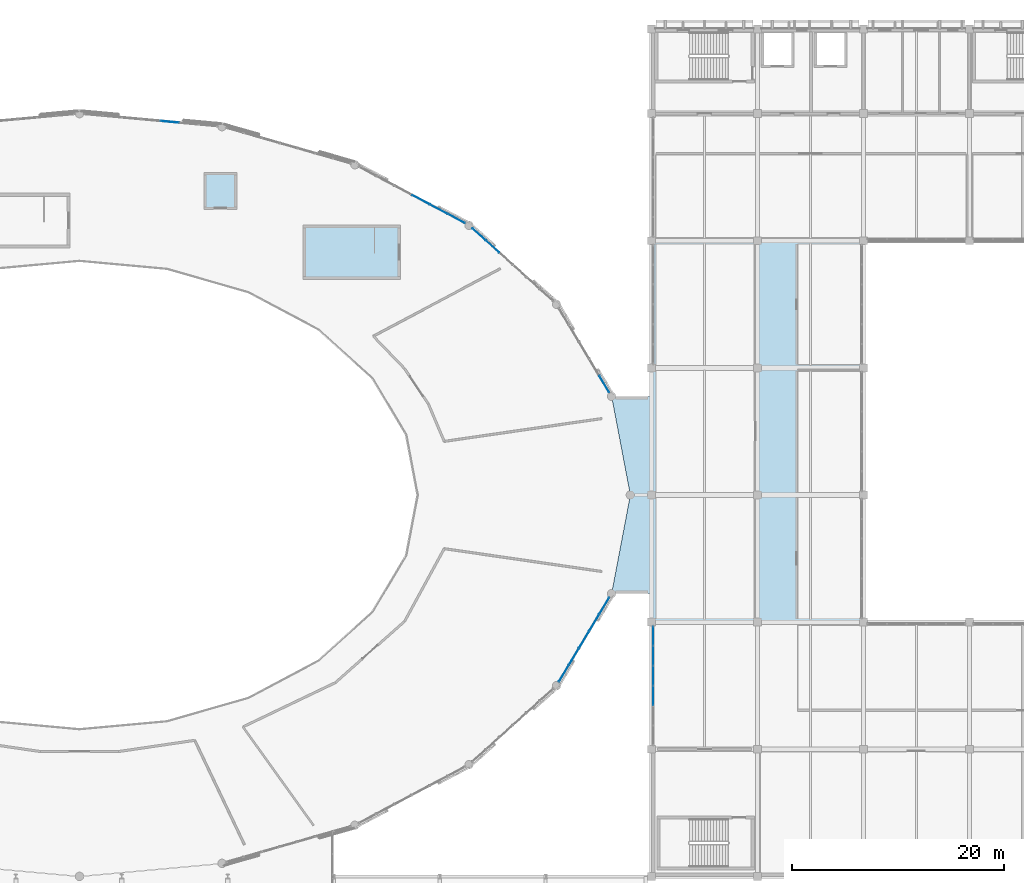
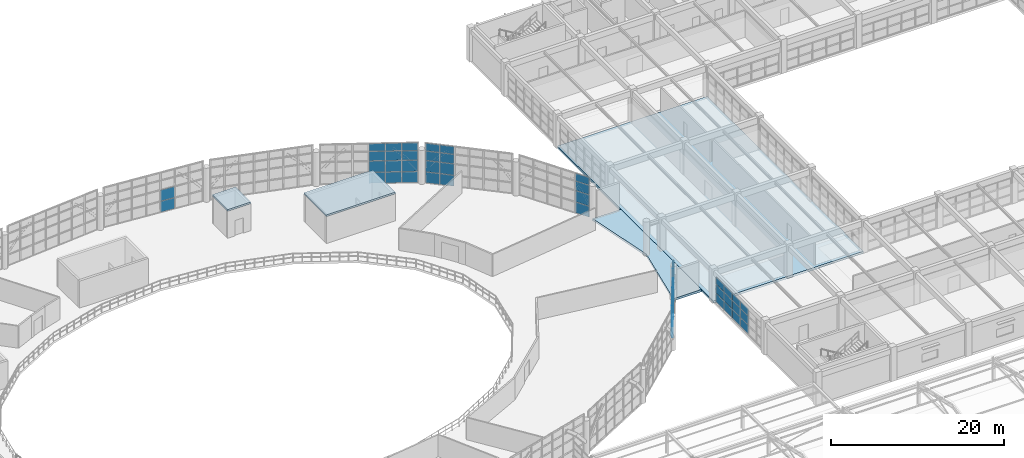
# One storey, part 71 of 109: 57 plates, 4 slabs, 6 elements without a shape of their own.
"""IFC4 building model written with IfcOpenShell, lengths in metres."""

from ifc_helpers import new_model, si_unit, direction, frame, origin, origin_2d, place, context, subcontext, project, spatial, polyline, rectangle, outline, extrude, material, layer, layer_set, type_object, element, aggregate, save


model = new_model("IFC4")

# Units and contexts
model_context = context("Model", 3, precision=1e-05, world=origin(), true_north=direction((0.0, 1.0)))
body_context = subcontext(model_context, "Body", "Model", "MODEL_VIEW")
ifc_project = project(units=[si_unit("LENGTHUNIT", "METRE"), si_unit("AREAUNIT", "SQUARE_METRE"), si_unit("VOLUMEUNIT", "CUBIC_METRE"), si_unit("PLANEANGLEUNIT", "RADIAN"), si_unit("MASSUNIT", "GRAM", prefix="KILO")], contexts=[model_context])

# Site, building, storey
site_placement = place(None, origin())
site = spatial("IfcSite", under=ifc_project, at=site_placement, CompositionType="ELEMENT")
building_placement = place(site_placement, origin())
building = spatial("IfcBuilding", under=site, at=building_placement, Name="Kivolera Central Railway Station", CompositionType="ELEMENT")
storey_placement = place(building_placement, frame((0.0, 0.0, 9.60009765625)))
storey = spatial("IfcBuildingStorey", under=building, at=storey_placement, Name="L02", CompositionType="ELEMENT", Elevation=9.60009765625)

# Curtain wall, plates
ifc_material_1 = material(Name="Anodised aluminium", Category="aluminium")
ifc_layer_1 = layer(ifc_material_1, 0.179931640625, Name="Anodised aluminium")
ifc_layer_set_1 = layer_set([ifc_layer_1], Name="Anodised aluminium")
curtain_wall_type_1 = type_object("IfcCurtainWallType", Name="CW-SYS-09", PredefinedType="NOTDEFINED", material=ifc_layer_set_1)
curtain_wall_1_placement = place(storey_placement, origin())
curtain_wall_1 = element("IfcCurtainWall", 1, at=curtain_wall_1_placement, inside=storey, type_object=curtain_wall_type_1, Name="L02 Curtain Wall CW-L02-OVL-03", PredefinedType="NOTDEFINED")
ifc_material_2 = material(Name="Double low-E laminated glass", Category="glass")
ifc_layer_2 = layer(ifc_material_2, 0.02587890625, Name="Double low-E laminated glass")
ifc_layer_set_2 = layer_set([ifc_layer_2], Name="Double low-E laminated glass")
plate_type_1 = type_object("IfcPlateType", Name="CWP-GLZ-1", PredefinedType="CURTAIN_PANEL", material=ifc_layer_set_2)
plate_1_placement = place(storey_placement, frame((96.2236328125, 117.87109375, 0.057861328125), z_axis=(0.0, 0.0, 1.0), x_axis=(0.883170250772, -0.46905256438, 0.0)))
plate_1 = element("IfcPlate", 2, at=plate_1_placement, type_object=plate_type_1, Name="CW-09 panel 4.1", PredefinedType="CURTAIN_PANEL", context=body_context, shape_type="SweptSolid", body=[
    extrude(rectangle(XDim=1.853271484375, YDim=0.02587890625, at=origin_2d()), origin(), (0.0, 0.0, 1.0), 1.51904296875),
])
plate_2_placement = place(storey_placement, frame((96.2236328125, 117.87109375, 1.623046875), z_axis=(0.0, 0.0, 1.0), x_axis=(0.883170250772, -0.46905256438, 0.0)))
plate_2 = element("IfcPlate", 3, at=plate_2_placement, type_object=plate_type_1, Name="CW-09 panel 4.2", PredefinedType="CURTAIN_PANEL", context=body_context, shape_type="SweptSolid", body=[
    extrude(rectangle(XDim=1.853271484375, YDim=0.02587890625, at=origin_2d()), origin(), (0.0, 0.0, 1.0), 1.553955078125),
])
plate_3_placement = place(storey_placement, frame((96.2236328125, 117.87109375, 3.22314453125), z_axis=(0.0, 0.0, 1.0), x_axis=(0.883170250772, -0.46905256438, 0.0)))
plate_3 = element("IfcPlate", 4, at=plate_3_placement, type_object=plate_type_1, Name="CW-09 panel 4.3", PredefinedType="CURTAIN_PANEL", context=body_context, shape_type="SweptSolid", body=[
    extrude(rectangle(XDim=1.853271484375, YDim=0.02587890625, at=origin_2d()), origin(), (0.0, 0.0, 1.0), 1.303955078125),
])
plate_4_placement = place(storey_placement, frame((96.2236328125, 117.87109375, 4.57275390625), z_axis=(0.0, 0.0, 1.0), x_axis=(0.883170250772, -0.46905256438, 0.0)))
plate_4 = element("IfcPlate", 5, at=plate_4_placement, type_object=plate_type_1, Name="CW-09 panel 4.4", PredefinedType="CURTAIN_PANEL", context=body_context, shape_type="SweptSolid", body=[
    extrude(rectangle(XDim=1.853271484375, YDim=0.02587890625, at=origin_2d()), origin(), (0.0, 0.0, 1.0), 1.069091796875),
])
plate_5_placement = place(storey_placement, frame((97.90087890625, 116.980224609375, 0.057861328125), z_axis=(0.0, 0.0, 1.0), x_axis=(0.883170250772, -0.46905256438, 0.0)))
plate_5 = element("IfcPlate", 6, at=plate_5_placement, type_object=plate_type_1, Name="CW-09 panel 5.1", PredefinedType="CURTAIN_PANEL", context=body_context, shape_type="SweptSolid", body=[
    extrude(rectangle(XDim=1.853271484375, YDim=0.02587890625, at=origin_2d()), origin(), (0.0, 0.0, 1.0), 1.51904296875),
])
plate_6_placement = place(storey_placement, frame((97.90087890625, 116.980224609375, 1.623046875), z_axis=(0.0, 0.0, 1.0), x_axis=(0.883170250772, -0.46905256438, 0.0)))
plate_6 = element("IfcPlate", 7, at=plate_6_placement, type_object=plate_type_1, Name="CW-09 panel 5.2", PredefinedType="CURTAIN_PANEL", context=body_context, shape_type="SweptSolid", body=[
    extrude(rectangle(XDim=1.853271484375, YDim=0.02587890625, at=origin_2d()), origin(), (0.0, 0.0, 1.0), 1.553955078125),
])
plate_7_placement = place(storey_placement, frame((97.90087890625, 116.980224609375, 3.22314453125), z_axis=(0.0, 0.0, 1.0), x_axis=(0.883170250772, -0.46905256438, 0.0)))
plate_7 = element("IfcPlate", 8, at=plate_7_placement, type_object=plate_type_1, Name="CW-09 panel 5.3", PredefinedType="CURTAIN_PANEL", context=body_context, shape_type="SweptSolid", body=[
    extrude(rectangle(XDim=1.853271484375, YDim=0.02587890625, at=origin_2d()), origin(), (0.0, 0.0, 1.0), 1.303955078125),
])
plate_8_placement = place(storey_placement, frame((97.90087890625, 116.980224609375, 4.57275390625), z_axis=(0.0, 0.0, 1.0), x_axis=(0.883170250772, -0.46905256438, 0.0)))
plate_8 = element("IfcPlate", 9, at=plate_8_placement, type_object=plate_type_1, Name="CW-09 panel 5.4", PredefinedType="CURTAIN_PANEL", context=body_context, shape_type="SweptSolid", body=[
    extrude(rectangle(XDim=1.853271484375, YDim=0.02587890625, at=origin_2d()), origin(), (0.0, 0.0, 1.0), 1.069091796875),
])
plate_9_placement = place(storey_placement, frame((99.56298828125, 116.09765625, 0.057861328125), z_axis=(0.0, 0.0, 1.0), x_axis=(0.883170250772, -0.46905256438, 0.0)))
plate_9 = element("IfcPlate", 10, at=plate_9_placement, type_object=plate_type_1, Name="CW-09 panel 6.1", PredefinedType="CURTAIN_PANEL", context=body_context, shape_type="SweptSolid", body=[
    extrude(rectangle(XDim=1.818115234375, YDim=0.02587890625, at=origin_2d()), origin(), (0.0, 0.0, 1.0), 1.51904296875),
])
plate_10_placement = place(storey_placement, frame((99.56298828125, 116.09765625, 1.623046875), z_axis=(0.0, 0.0, 1.0), x_axis=(0.883170250772, -0.46905256438, 0.0)))
plate_10 = element("IfcPlate", 11, at=plate_10_placement, type_object=plate_type_1, Name="CW-09 panel 6.2", PredefinedType="CURTAIN_PANEL", context=body_context, shape_type="SweptSolid", body=[
    extrude(rectangle(XDim=1.818115234375, YDim=0.02587890625, at=origin_2d()), origin(), (0.0, 0.0, 1.0), 1.553955078125),
])
plate_11_placement = place(storey_placement, frame((99.56298828125, 116.09765625, 3.22314453125), z_axis=(0.0, 0.0, 1.0), x_axis=(0.883170250772, -0.46905256438, 0.0)))
plate_11 = element("IfcPlate", 12, at=plate_11_placement, type_object=plate_type_1, Name="CW-09 panel 6.3", PredefinedType="CURTAIN_PANEL", context=body_context, shape_type="SweptSolid", body=[
    extrude(rectangle(XDim=1.818115234375, YDim=0.02587890625, at=origin_2d()), origin(), (0.0, 0.0, 1.0), 1.303955078125),
])
plate_12_placement = place(storey_placement, frame((99.56298828125, 116.09765625, 4.57275390625), z_axis=(0.0, 0.0, 1.0), x_axis=(0.883170250772, -0.46905256438, 0.0)))
plate_12 = element("IfcPlate", 13, at=plate_12_placement, type_object=plate_type_1, Name="CW-09 panel 6.4", PredefinedType="CURTAIN_PANEL", context=body_context, shape_type="SweptSolid", body=[
    extrude(rectangle(XDim=1.818115234375, YDim=0.02587890625, at=origin_2d()), origin(), (0.0, 0.0, 1.0), 1.069091796875),
])
aggregate(curtain_wall_1, [plate_1, plate_2, plate_3, plate_4, plate_5, plate_6, plate_7, plate_8, plate_9, plate_10, plate_11, plate_12])

ifc_layer_3 = layer(ifc_material_1, 0.179931640625, Name="Anodised aluminium")
ifc_layer_set_3 = layer_set([ifc_layer_3], Name="Anodised aluminium")
curtain_wall_type_2 = type_object("IfcCurtainWallType", Name="CW-SYS-28", PredefinedType="NOTDEFINED", material=ifc_layer_set_3)
curtain_wall_2_placement = place(storey_placement, origin())
curtain_wall_2 = element("IfcCurtainWall", 14, at=curtain_wall_2_placement, inside=storey, type_object=curtain_wall_type_2, Name="L02 Curtain Wall CW-L02-WEST-F", PredefinedType="NOTDEFINED")
ifc_layer_4 = layer(ifc_material_2, 0.030029296875, Name="Double low-E laminated glass")
ifc_layer_set_4 = layer_set([ifc_layer_4], Name="Double low-E laminated glass")
plate_type_2 = type_object("IfcPlateType", Name="CWP-GLZ-2", PredefinedType="CURTAIN_PANEL", material=ifc_layer_set_4)
plate_13_placement = place(storey_placement, frame((118.153076171875, 71.061767578125, 0.057861328125), z_axis=(0.0, 0.0, 1.0), x_axis=(0.0, 1.0, 0.0)))
plate_13 = element("IfcPlate", 15, at=plate_13_placement, type_object=plate_type_2, Name="CW-28 panel 3.1", PredefinedType="CURTAIN_PANEL", context=body_context, shape_type="SweptSolid", body=[
    extrude(rectangle(XDim=1.83056640625, YDim=0.030029296875, at=origin_2d()), origin(), (0.0, 0.0, 1.0), 1.19921875),
])
plate_14_placement = place(storey_placement, frame((118.153076171875, 71.061767578125, 1.30322265625), z_axis=(0.0, 0.0, 1.0), x_axis=(0.0, 1.0, 0.0)))
plate_14 = element("IfcPlate", 16, at=plate_14_placement, type_object=plate_type_2, Name="CW-28 panel 3.2", PredefinedType="CURTAIN_PANEL", context=body_context, shape_type="SweptSolid", body=[
    extrude(rectangle(XDim=1.83056640625, YDim=0.030029296875, at=origin_2d()), origin(), (0.0, 0.0, 1.0), 1.234375),
])
plate_15_placement = place(storey_placement, frame((118.153076171875, 71.061767578125, 2.58349609375), z_axis=(0.0, 0.0, 1.0), x_axis=(0.0, 1.0, 0.0)))
plate_15 = element("IfcPlate", 17, at=plate_15_placement, type_object=plate_type_2, Name="CW-28 panel 3.3", PredefinedType="CURTAIN_PANEL", context=body_context, shape_type="SweptSolid", body=[
    extrude(rectangle(XDim=1.83056640625, YDim=0.030029296875, at=origin_2d()), origin(), (0.0, 0.0, 1.0), 1.016357421875),
])
plate_16_placement = place(storey_placement, frame((118.153076171875, 72.938232421875, 0.057861328125), z_axis=(0.0, 0.0, 1.0), x_axis=(0.0, 1.0, 0.0)))
plate_16 = element("IfcPlate", 18, at=plate_16_placement, type_object=plate_type_2, Name="CW-28 panel 4.1", PredefinedType="CURTAIN_PANEL", context=body_context, shape_type="SweptSolid", body=[
    extrude(rectangle(XDim=1.83056640625, YDim=0.030029296875, at=origin_2d()), origin(), (0.0, 0.0, 1.0), 1.19921875),
])
plate_17_placement = place(storey_placement, frame((118.153076171875, 72.938232421875, 1.30322265625), z_axis=(0.0, 0.0, 1.0), x_axis=(0.0, 1.0, 0.0)))
plate_17 = element("IfcPlate", 19, at=plate_17_placement, type_object=plate_type_2, Name="CW-28 panel 4.2", PredefinedType="CURTAIN_PANEL", context=body_context, shape_type="SweptSolid", body=[
    extrude(rectangle(XDim=1.83056640625, YDim=0.030029296875, at=origin_2d()), origin(), (0.0, 0.0, 1.0), 1.234375),
])
plate_18_placement = place(storey_placement, frame((118.153076171875, 72.938232421875, 2.58349609375), z_axis=(0.0, 0.0, 1.0), x_axis=(0.0, 1.0, 0.0)))
plate_18 = element("IfcPlate", 20, at=plate_18_placement, type_object=plate_type_2, Name="CW-28 panel 4.3", PredefinedType="CURTAIN_PANEL", context=body_context, shape_type="SweptSolid", body=[
    extrude(rectangle(XDim=1.83056640625, YDim=0.030029296875, at=origin_2d()), origin(), (0.0, 0.0, 1.0), 1.016357421875),
])
plate_19_placement = place(storey_placement, frame((118.153076171875, 74.81494140625, 0.057861328125), z_axis=(0.0, 0.0, 1.0), x_axis=(0.0, 1.0, 0.0)))
plate_19 = element("IfcPlate", 21, at=plate_19_placement, type_object=plate_type_2, Name="CW-28 panel 5.1", PredefinedType="CURTAIN_PANEL", context=body_context, shape_type="SweptSolid", body=[
    extrude(rectangle(XDim=1.83056640625, YDim=0.030029296875, at=origin_2d()), origin(), (0.0, 0.0, 1.0), 1.19921875),
])
plate_20_placement = place(storey_placement, frame((118.153076171875, 74.81494140625, 1.30322265625), z_axis=(0.0, 0.0, 1.0), x_axis=(0.0, 1.0, 0.0)))
plate_20 = element("IfcPlate", 22, at=plate_20_placement, type_object=plate_type_2, Name="CW-28 panel 5.2", PredefinedType="CURTAIN_PANEL", context=body_context, shape_type="SweptSolid", body=[
    extrude(rectangle(XDim=1.83056640625, YDim=0.030029296875, at=origin_2d()), origin(), (0.0, 0.0, 1.0), 1.234375),
])
plate_21_placement = place(storey_placement, frame((118.153076171875, 74.81494140625, 2.58349609375), z_axis=(0.0, 0.0, 1.0), x_axis=(0.0, 1.0, 0.0)))
plate_21 = element("IfcPlate", 23, at=plate_21_placement, type_object=plate_type_2, Name="CW-28 panel 5.3", PredefinedType="CURTAIN_PANEL", context=body_context, shape_type="SweptSolid", body=[
    extrude(rectangle(XDim=1.83056640625, YDim=0.030029296875, at=origin_2d()), origin(), (0.0, 0.0, 1.0), 1.016357421875),
])
plate_22_placement = place(storey_placement, frame((118.153076171875, 76.674072265625, 0.057861328125), z_axis=(0.0, 0.0, 1.0), x_axis=(0.0, 1.0, 0.0)))
plate_22 = element("IfcPlate", 24, at=plate_22_placement, type_object=plate_type_2, Name="CW-28 panel 6.1", PredefinedType="CURTAIN_PANEL", context=body_context, shape_type="SweptSolid", body=[
    extrude(rectangle(XDim=1.795654296875, YDim=0.030029296875, at=origin_2d()), origin(), (0.0, 0.0, 1.0), 1.19921875),
])
plate_23_placement = place(storey_placement, frame((118.153076171875, 76.674072265625, 1.30322265625), z_axis=(0.0, 0.0, 1.0), x_axis=(0.0, 1.0, 0.0)))
plate_23 = element("IfcPlate", 25, at=plate_23_placement, type_object=plate_type_2, Name="CW-28 panel 6.2", PredefinedType="CURTAIN_PANEL", context=body_context, shape_type="SweptSolid", body=[
    extrude(rectangle(XDim=1.795654296875, YDim=0.030029296875, at=origin_2d()), origin(), (0.0, 0.0, 1.0), 1.234375),
])
plate_24_placement = place(storey_placement, frame((118.153076171875, 76.674072265625, 2.58349609375), z_axis=(0.0, 0.0, 1.0), x_axis=(0.0, 1.0, 0.0)))
plate_24 = element("IfcPlate", 26, at=plate_24_placement, type_object=plate_type_2, Name="CW-28 panel 6.3", PredefinedType="CURTAIN_PANEL", context=body_context, shape_type="SweptSolid", body=[
    extrude(rectangle(XDim=1.795654296875, YDim=0.030029296875, at=origin_2d()), origin(), (0.0, 0.0, 1.0), 1.016357421875),
])
aggregate(curtain_wall_2, [plate_13, plate_14, plate_15, plate_16, plate_17, plate_18, plate_19, plate_20, plate_21, plate_22, plate_23, plate_24])

ifc_layer_5 = layer(ifc_material_1, 0.179931640625, Name="Anodised aluminium")
ifc_layer_set_5 = layer_set([ifc_layer_5], Name="Anodised aluminium")
curtain_wall_type_3 = type_object("IfcCurtainWallType", Name="CW-SYS-13", PredefinedType="NOTDEFINED", material=ifc_layer_set_5)
curtain_wall_3_placement = place(storey_placement, origin())
curtain_wall_3 = element("IfcCurtainWall", 27, at=curtain_wall_3_placement, inside=storey, type_object=curtain_wall_type_3, Name="L02 Curtain Wall CW-L02-OVL-05", PredefinedType="NOTDEFINED")
ifc_layer_6 = layer(ifc_material_2, 0.033935546875, Name="Double low-E laminated glass")
ifc_layer_set_6 = layer_set([ifc_layer_6], Name="Double low-E laminated glass")
plate_type_3 = type_object("IfcPlateType", Name="CWP-GLZ-3", PredefinedType="CURTAIN_PANEL", material=ifc_layer_set_6)
plate_25_placement = place(storey_placement, frame((72.53857421875, 125.221435546875, 0.057861328125), z_axis=(0.0, 0.0, 1.0), x_axis=(0.995866087555, -0.090833560193, 0.0)))
plate_25 = element("IfcPlate", 28, at=plate_25_placement, type_object=plate_type_3, Name="CW-13 panel 5.1", PredefinedType="CURTAIN_PANEL", context=body_context, shape_type="SweptSolid", body=[
    extrude(rectangle(XDim=1.7705078125, YDim=0.033935546875, at=origin_2d()), origin(), (0.0, 0.0, 1.0), 1.51904296875),
])
plate_26_placement = place(storey_placement, frame((72.53857421875, 125.221435546875, 1.623046875), z_axis=(0.0, 0.0, 1.0), x_axis=(0.995866087555, -0.090833560193, 0.0)))
plate_26 = element("IfcPlate", 29, at=plate_26_placement, type_object=plate_type_3, Name="CW-13 panel 5.2", PredefinedType="CURTAIN_PANEL", context=body_context, shape_type="SweptSolid", body=[
    extrude(rectangle(XDim=1.7705078125, YDim=0.033935546875, at=origin_2d()), origin(), (0.0, 0.0, 1.0), 1.553955078125),
])
aggregate(curtain_wall_3, [plate_25, plate_26])

ifc_layer_7 = layer(ifc_material_1, 0.179931640625, Name="Anodised aluminium")
ifc_layer_set_7 = layer_set([ifc_layer_7], Name="Anodised aluminium")
curtain_wall_type_4 = type_object("IfcCurtainWallType", Name="CW-SYS-03", PredefinedType="NOTDEFINED", material=ifc_layer_set_7)
curtain_wall_4_placement = place(storey_placement, origin())
curtain_wall_4 = element("IfcCurtainWall", 30, at=curtain_wall_4_placement, inside=storey, type_object=curtain_wall_type_4, Name="L02 Curtain Wall CW-L02-OVL-01", PredefinedType="NOTDEFINED")
ifc_layer_8 = layer(ifc_material_2, 0.0380859375, Name="Double low-E laminated glass")
ifc_layer_set_8 = layer_set([ifc_layer_8], Name="Double low-E laminated glass")
plate_type_4 = type_object("IfcPlateType", Name="CWP-GLZ-4", PredefinedType="CURTAIN_PANEL", material=ifc_layer_set_8)
plate_27_placement = place(storey_placement, frame((113.535400390625, 100.474609375, 0.057861328125), z_axis=(0.0, 0.0, 1.0), x_axis=(0.513453894052, -0.858117182372, 0.0)))
plate_27 = element("IfcPlate", 31, at=plate_27_placement, type_object=plate_type_4, Name="CW-03 panel 5.1", PredefinedType="CURTAIN_PANEL", context=body_context, shape_type="SweptSolid", body=[
    extrude(rectangle(XDim=1.782958984375, YDim=0.0380859375, at=origin_2d()), origin(), (0.0, 0.0, 1.0), 1.51904296875),
])
plate_28_placement = place(storey_placement, frame((113.535400390625, 100.474609375, 1.623046875), z_axis=(0.0, 0.0, 1.0), x_axis=(0.513453894052, -0.858117182372, 0.0)))
plate_28 = element("IfcPlate", 32, at=plate_28_placement, type_object=plate_type_4, Name="CW-03 panel 5.2", PredefinedType="CURTAIN_PANEL", context=body_context, shape_type="SweptSolid", body=[
    extrude(rectangle(XDim=1.782958984375, YDim=0.0380859375, at=origin_2d()), origin(), (0.0, 0.0, 1.0), 1.553955078125),
])
plate_29_placement = place(storey_placement, frame((113.535400390625, 100.474609375, 3.22314453125), z_axis=(0.0, 0.0, 1.0), x_axis=(0.513453894052, -0.858117182372, 0.0)))
plate_29 = element("IfcPlate", 33, at=plate_29_placement, type_object=plate_type_4, Name="CW-03 panel 5.3", PredefinedType="CURTAIN_PANEL", context=body_context, shape_type="SweptSolid", body=[
    extrude(rectangle(XDim=1.782958984375, YDim=0.0380859375, at=origin_2d()), origin(), (0.0, 0.0, 1.0), 1.303955078125),
])
plate_30_placement = place(storey_placement, frame((113.535400390625, 100.474609375, 4.57275390625), z_axis=(0.0, 0.0, 1.0), x_axis=(0.513453894052, -0.858117182372, 0.0)))
plate_30 = element("IfcPlate", 34, at=plate_30_placement, type_object=plate_type_4, Name="CW-03 panel 5.4", PredefinedType="CURTAIN_PANEL", context=body_context, shape_type="SweptSolid", body=[
    extrude(rectangle(XDim=1.782958984375, YDim=0.0380859375, at=origin_2d()), origin(), (0.0, 0.0, 1.0), 1.069091796875),
])
aggregate(curtain_wall_4, [plate_27, plate_28, plate_29, plate_30])

ifc_layer_9 = layer(ifc_material_1, 0.179931640625, Name="Anodised aluminium")
ifc_layer_set_9 = layer_set([ifc_layer_9], Name="Anodised aluminium")
curtain_wall_type_5 = type_object("IfcCurtainWallType", Name="CW-SYS-06", PredefinedType="NOTDEFINED", material=ifc_layer_set_9)
curtain_wall_5_placement = place(storey_placement, origin())
curtain_wall_5 = element("IfcCurtainWall", 35, at=curtain_wall_5_placement, inside=storey, type_object=curtain_wall_type_5, Name="L02 Curtain Wall CW-L02-OVL-02", PredefinedType="NOTDEFINED")
ifc_layer_10 = layer(ifc_material_2, 0.0419921875, Name="Double low-E laminated glass")
ifc_layer_set_10 = layer_set([ifc_layer_10], Name="Double low-E laminated glass")
plate_type_5 = type_object("IfcPlateType", Name="CWP-GLZ-5", PredefinedType="CURTAIN_PANEL", material=ifc_layer_set_10)
plate_31_placement = place(storey_placement, frame((101.718994140625, 114.599609375, 0.057861328125), z_axis=(0.0, 0.0, 1.0), x_axis=(0.742431873669, -0.669921572246, 0.0)))
plate_31 = element("IfcPlate", 36, at=plate_31_placement, type_object=plate_type_5, Name="CW-06 panel 1.1", PredefinedType="CURTAIN_PANEL", context=body_context, shape_type="SweptSolid", body=[
    extrude(rectangle(XDim=1.640625, YDim=0.0419921875, at=origin_2d()), origin(), (0.0, 0.0, 1.0), 1.51904296875),
])
plate_32_placement = place(storey_placement, frame((101.718994140625, 114.599609375, 1.623046875), z_axis=(0.0, 0.0, 1.0), x_axis=(0.742431873669, -0.669921572246, 0.0)))
plate_32 = element("IfcPlate", 37, at=plate_32_placement, type_object=plate_type_5, Name="CW-06 panel 1.2", PredefinedType="CURTAIN_PANEL", context=body_context, shape_type="SweptSolid", body=[
    extrude(rectangle(XDim=1.640625, YDim=0.0419921875, at=origin_2d()), origin(), (0.0, 0.0, 1.0), 1.553955078125),
])
plate_33_placement = place(storey_placement, frame((101.718994140625, 114.599609375, 3.22314453125), z_axis=(0.0, 0.0, 1.0), x_axis=(0.742431873669, -0.669921572246, 0.0)))
plate_33 = element("IfcPlate", 38, at=plate_33_placement, type_object=plate_type_5, Name="CW-06 panel 1.3", PredefinedType="CURTAIN_PANEL", context=body_context, shape_type="SweptSolid", body=[
    extrude(rectangle(XDim=1.640625, YDim=0.0419921875, at=origin_2d()), origin(), (0.0, 0.0, 1.0), 1.303955078125),
])
plate_34_placement = place(storey_placement, frame((101.718994140625, 114.599609375, 4.57275390625), z_axis=(0.0, 0.0, 1.0), x_axis=(0.742431873669, -0.669921572246, 0.0)))
plate_34 = element("IfcPlate", 39, at=plate_34_placement, type_object=plate_type_5, Name="CW-06 panel 1.4", PredefinedType="CURTAIN_PANEL", context=body_context, shape_type="SweptSolid", body=[
    extrude(rectangle(XDim=1.640625, YDim=0.0419921875, at=origin_2d()), origin(), (0.0, 0.0, 1.0), 1.069091796875),
])
plate_35_placement = place(storey_placement, frame((102.984130859375, 113.4580078125, 0.057861328125), z_axis=(0.0, 0.0, 1.0), x_axis=(0.742431873669, -0.669921572246, 0.0)))
plate_35 = element("IfcPlate", 40, at=plate_35_placement, type_object=plate_type_5, Name="CW-06 panel 2.1", PredefinedType="CURTAIN_PANEL", context=body_context, shape_type="SweptSolid", body=[
    extrude(rectangle(XDim=1.675537109375, YDim=0.0419921875, at=origin_2d()), origin(), (0.0, 0.0, 1.0), 1.51904296875),
])
plate_36_placement = place(storey_placement, frame((102.984130859375, 113.4580078125, 1.623046875), z_axis=(0.0, 0.0, 1.0), x_axis=(0.742431873669, -0.669921572246, 0.0)))
plate_36 = element("IfcPlate", 41, at=plate_36_placement, type_object=plate_type_5, Name="CW-06 panel 2.2", PredefinedType="CURTAIN_PANEL", context=body_context, shape_type="SweptSolid", body=[
    extrude(rectangle(XDim=1.675537109375, YDim=0.0419921875, at=origin_2d()), origin(), (0.0, 0.0, 1.0), 1.553955078125),
])
plate_37_placement = place(storey_placement, frame((102.984130859375, 113.4580078125, 3.22314453125), z_axis=(0.0, 0.0, 1.0), x_axis=(0.742431873669, -0.669921572246, 0.0)))
plate_37 = element("IfcPlate", 42, at=plate_37_placement, type_object=plate_type_5, Name="CW-06 panel 2.3", PredefinedType="CURTAIN_PANEL", context=body_context, shape_type="SweptSolid", body=[
    extrude(rectangle(XDim=1.675537109375, YDim=0.0419921875, at=origin_2d()), origin(), (0.0, 0.0, 1.0), 1.303955078125),
])
plate_38_placement = place(storey_placement, frame((102.984130859375, 113.4580078125, 4.57275390625), z_axis=(0.0, 0.0, 1.0), x_axis=(0.742431873669, -0.669921572246, 0.0)))
plate_38 = element("IfcPlate", 43, at=plate_38_placement, type_object=plate_type_5, Name="CW-06 panel 2.4", PredefinedType="CURTAIN_PANEL", context=body_context, shape_type="SweptSolid", body=[
    extrude(rectangle(XDim=1.675537109375, YDim=0.0419921875, at=origin_2d()), origin(), (0.0, 0.0, 1.0), 1.069091796875),
])
aggregate(curtain_wall_5, [plate_31, plate_32, plate_33, plate_34, plate_35, plate_36, plate_37, plate_38])

curtain_wall_6_placement = place(storey_placement, origin())
curtain_wall_6 = element("IfcCurtainWall", 44, at=curtain_wall_6_placement, inside=storey, type_object=curtain_wall_type_4, Name="L02 Curtain Wall CW-L02-OVL-22", PredefinedType="NOTDEFINED")
plate_39_placement = place(storey_placement, frame((113.535400390625, 79.525390625, 0.057861328125), z_axis=(0.0, 0.0, 1.0), x_axis=(-0.513453894052, -0.858117182372, 0.0)))
plate_39 = element("IfcPlate", 45, at=plate_39_placement, type_object=plate_type_5, Name="CW-03 panel 1.1", PredefinedType="CURTAIN_PANEL", context=body_context, shape_type="SweptSolid", body=[
    extrude(rectangle(XDim=1.782958984375, YDim=0.0419921875, at=origin_2d()), origin(), (0.0, 0.0, 1.0), 1.51904296875),
])
plate_40_placement = place(storey_placement, frame((113.535400390625, 79.525390625, 1.623046875), z_axis=(0.0, 0.0, 1.0), x_axis=(-0.513453894052, -0.858117182372, 0.0)))
plate_40 = element("IfcPlate", 46, at=plate_40_placement, type_object=plate_type_5, Name="CW-03 panel 1.2", PredefinedType="CURTAIN_PANEL", context=body_context, shape_type="SweptSolid", body=[
    extrude(rectangle(XDim=1.782958984375, YDim=0.0419921875, at=origin_2d()), origin(), (0.0, 0.0, 1.0), 1.553955078125),
])
plate_41_placement = place(storey_placement, frame((113.535400390625, 79.525390625, 3.22314453125), z_axis=(0.0, 0.0, 1.0), x_axis=(-0.513453894052, -0.858117182372, 0.0)))
plate_41 = element("IfcPlate", 47, at=plate_41_placement, type_object=plate_type_5, Name="CW-03 panel 1.3", PredefinedType="CURTAIN_PANEL", context=body_context, shape_type="SweptSolid", body=[
    extrude(rectangle(XDim=1.782958984375, YDim=0.0419921875, at=origin_2d()), origin(), (0.0, 0.0, 1.0), 1.303955078125),
])
plate_42_placement = place(storey_placement, frame((113.535400390625, 79.525390625, 4.57275390625), z_axis=(0.0, 0.0, 1.0), x_axis=(-0.513453894052, -0.858117182372, 0.0)))
plate_42 = element("IfcPlate", 48, at=plate_42_placement, type_object=plate_type_5, Name="CW-03 panel 1.4", PredefinedType="CURTAIN_PANEL", context=body_context, shape_type="SweptSolid", body=[
    extrude(rectangle(XDim=1.782958984375, YDim=0.0419921875, at=origin_2d()), origin(), (0.0, 0.0, 1.0), 1.069091796875),
])
plate_43_placement = place(storey_placement, frame((112.58740234375, 77.94091796875, 0.057861328125), z_axis=(0.0, 0.0, 1.0), x_axis=(-0.513453894052, -0.858117182372, 0.0)))
plate_43 = element("IfcPlate", 49, at=plate_43_placement, type_object=plate_type_5, Name="CW-03 panel 2.1", PredefinedType="CURTAIN_PANEL", context=body_context, shape_type="SweptSolid", body=[
    extrude(rectangle(XDim=1.81787109375, YDim=0.0419921875, at=origin_2d()), origin(), (0.0, 0.0, 1.0), 1.51904296875),
])
plate_44_placement = place(storey_placement, frame((112.58740234375, 77.94091796875, 1.623046875), z_axis=(0.0, 0.0, 1.0), x_axis=(-0.513453894052, -0.858117182372, 0.0)))
plate_44 = element("IfcPlate", 50, at=plate_44_placement, type_object=plate_type_5, Name="CW-03 panel 2.2", PredefinedType="CURTAIN_PANEL", context=body_context, shape_type="SweptSolid", body=[
    extrude(rectangle(XDim=1.81787109375, YDim=0.0419921875, at=origin_2d()), origin(), (0.0, 0.0, 1.0), 1.553955078125),
])
plate_45_placement = place(storey_placement, frame((112.58740234375, 77.94091796875, 3.22314453125), z_axis=(0.0, 0.0, 1.0), x_axis=(-0.513453894052, -0.858117182372, 0.0)))
plate_45 = element("IfcPlate", 51, at=plate_45_placement, type_object=plate_type_5, Name="CW-03 panel 2.3", PredefinedType="CURTAIN_PANEL", context=body_context, shape_type="SweptSolid", body=[
    extrude(rectangle(XDim=1.81787109375, YDim=0.0419921875, at=origin_2d()), origin(), (0.0, 0.0, 1.0), 1.303955078125),
])
plate_46_placement = place(storey_placement, frame((112.58740234375, 77.94091796875, 4.57275390625), z_axis=(0.0, 0.0, 1.0), x_axis=(-0.513453894052, -0.858117182372, 0.0)))
plate_46 = element("IfcPlate", 52, at=plate_46_placement, type_object=plate_type_5, Name="CW-03 panel 2.4", PredefinedType="CURTAIN_PANEL", context=body_context, shape_type="SweptSolid", body=[
    extrude(rectangle(XDim=1.81787109375, YDim=0.0419921875, at=origin_2d()), origin(), (0.0, 0.0, 1.0), 1.069091796875),
])
plate_47_placement = place(storey_placement, frame((111.630615234375, 76.341552734375, 0.057861328125), z_axis=(0.0, 0.0, 1.0), x_axis=(-0.513453894052, -0.858117182372, 0.0)))
plate_47 = element("IfcPlate", 53, at=plate_47_placement, type_object=plate_type_5, Name="CW-03 panel 3.1", PredefinedType="CURTAIN_PANEL", context=body_context, shape_type="SweptSolid", body=[
    extrude(rectangle(XDim=1.81787109375, YDim=0.0419921875, at=origin_2d()), origin(), (0.0, 0.0, 1.0), 1.51904296875),
])
plate_48_placement = place(storey_placement, frame((111.630615234375, 76.341552734375, 1.623046875), z_axis=(0.0, 0.0, 1.0), x_axis=(-0.513453894052, -0.858117182372, 0.0)))
plate_48 = element("IfcPlate", 54, at=plate_48_placement, type_object=plate_type_5, Name="CW-03 panel 3.2", PredefinedType="CURTAIN_PANEL", context=body_context, shape_type="SweptSolid", body=[
    extrude(rectangle(XDim=1.81787109375, YDim=0.0419921875, at=origin_2d()), origin(), (0.0, 0.0, 1.0), 1.553955078125),
])
plate_49_placement = place(storey_placement, frame((111.630615234375, 76.341552734375, 3.22314453125), z_axis=(0.0, 0.0, 1.0), x_axis=(-0.513453894052, -0.858117182372, 0.0)))
plate_49 = element("IfcPlate", 55, at=plate_49_placement, type_object=plate_type_5, Name="CW-03 panel 3.3", PredefinedType="CURTAIN_PANEL", context=body_context, shape_type="SweptSolid", body=[
    extrude(rectangle(XDim=1.81787109375, YDim=0.0419921875, at=origin_2d()), origin(), (0.0, 0.0, 1.0), 1.303955078125),
])
plate_50_placement = place(storey_placement, frame((111.630615234375, 76.341552734375, 4.57275390625), z_axis=(0.0, 0.0, 1.0), x_axis=(-0.513453894052, -0.858117182372, 0.0)))
plate_50 = element("IfcPlate", 56, at=plate_50_placement, type_object=plate_type_5, Name="CW-03 panel 3.4", PredefinedType="CURTAIN_PANEL", context=body_context, shape_type="SweptSolid", body=[
    extrude(rectangle(XDim=1.81787109375, YDim=0.0419921875, at=origin_2d()), origin(), (0.0, 0.0, 1.0), 1.069091796875),
])
plate_51_placement = place(storey_placement, frame((110.673583984375, 74.7421875, 0.057861328125), z_axis=(0.0, 0.0, 1.0), x_axis=(-0.513453894052, -0.858117182372, 0.0)))
plate_51 = element("IfcPlate", 57, at=plate_51_placement, type_object=plate_type_5, Name="CW-03 panel 4.1", PredefinedType="CURTAIN_PANEL", context=body_context, shape_type="SweptSolid", body=[
    extrude(rectangle(XDim=1.81787109375, YDim=0.0419921875, at=origin_2d()), origin(), (0.0, 0.0, 1.0), 1.51904296875),
])
plate_52_placement = place(storey_placement, frame((110.673583984375, 74.7421875, 1.623046875), z_axis=(0.0, 0.0, 1.0), x_axis=(-0.513453894052, -0.858117182372, 0.0)))
plate_52 = element("IfcPlate", 58, at=plate_52_placement, type_object=plate_type_5, Name="CW-03 panel 4.2", PredefinedType="CURTAIN_PANEL", context=body_context, shape_type="SweptSolid", body=[
    extrude(rectangle(XDim=1.81787109375, YDim=0.0419921875, at=origin_2d()), origin(), (0.0, 0.0, 1.0), 1.553955078125),
])
plate_53_placement = place(storey_placement, frame((110.673583984375, 74.7421875, 3.22314453125), z_axis=(0.0, 0.0, 1.0), x_axis=(-0.513453894052, -0.858117182372, 0.0)))
plate_53 = element("IfcPlate", 59, at=plate_53_placement, type_object=plate_type_5, Name="CW-03 panel 4.3", PredefinedType="CURTAIN_PANEL", context=body_context, shape_type="SweptSolid", body=[
    extrude(rectangle(XDim=1.81787109375, YDim=0.0419921875, at=origin_2d()), origin(), (0.0, 0.0, 1.0), 1.303955078125),
])
plate_54_placement = place(storey_placement, frame((110.673583984375, 74.7421875, 4.57275390625), z_axis=(0.0, 0.0, 1.0), x_axis=(-0.513453894052, -0.858117182372, 0.0)))
plate_54 = element("IfcPlate", 60, at=plate_54_placement, type_object=plate_type_5, Name="CW-03 panel 4.4", PredefinedType="CURTAIN_PANEL", context=body_context, shape_type="SweptSolid", body=[
    extrude(rectangle(XDim=1.81787109375, YDim=0.0419921875, at=origin_2d()), origin(), (0.0, 0.0, 1.0), 1.069091796875),
])
plate_55_placement = place(storey_placement, frame((109.7255859375, 73.15771484375, 1.623046875), z_axis=(0.0, 0.0, 1.0), x_axis=(-0.513453894052, -0.858117182372, 0.0)))
plate_55 = element("IfcPlate", 61, at=plate_55_placement, type_object=plate_type_5, Name="CW-03 panel 5.2", PredefinedType="CURTAIN_PANEL", context=body_context, shape_type="SweptSolid", body=[
    extrude(rectangle(XDim=1.782958984375, YDim=0.0419921875, at=origin_2d()), origin(), (0.0, 0.0, 1.0), 1.553955078125),
])
plate_56_placement = place(storey_placement, frame((109.7255859375, 73.15771484375, 3.22314453125), z_axis=(0.0, 0.0, 1.0), x_axis=(-0.513453894052, -0.858117182372, 0.0)))
plate_56 = element("IfcPlate", 62, at=plate_56_placement, type_object=plate_type_5, Name="CW-03 panel 5.3", PredefinedType="CURTAIN_PANEL", context=body_context, shape_type="SweptSolid", body=[
    extrude(rectangle(XDim=1.782958984375, YDim=0.0419921875, at=origin_2d()), origin(), (0.0, 0.0, 1.0), 1.303955078125),
])
plate_57_placement = place(storey_placement, frame((109.7255859375, 73.15771484375, 4.57275390625), z_axis=(0.0, 0.0, 1.0), x_axis=(-0.513453894052, -0.858117182372, 0.0)))
plate_57 = element("IfcPlate", 63, at=plate_57_placement, type_object=plate_type_5, Name="CW-03 panel 5.4", PredefinedType="CURTAIN_PANEL", context=body_context, shape_type="SweptSolid", body=[
    extrude(rectangle(XDim=1.782958984375, YDim=0.0419921875, at=origin_2d()), origin(), (0.0, 0.0, 1.0), 1.069091796875),
])
aggregate(curtain_wall_6, [plate_39, plate_40, plate_41, plate_42, plate_43, plate_44, plate_45, plate_46, plate_47, plate_48, plate_49, plate_50, plate_51, plate_52, plate_53, plate_54, plate_55, plate_56, plate_57])

# Slabs
ifc_material_3 = material(Name="Concrete C40/50", Category="concrete")
ifc_layer_11 = layer(ifc_material_3, 0.22998046875, Name="Concrete C40/50")
ifc_layer_set_11 = layer_set([ifc_layer_11], Name="Concrete C40/50")
slab_type_1 = type_object("IfcSlabType", Name="SLB-FLR-230", PredefinedType="FLOOR", material=ifc_layer_set_11)
slab_1_placement = place(storey_placement, frame((0.0, 0.0, 3.7998046875)))
element("IfcSlab", 64, at=slab_1_placement, inside=storey, type_object=slab_type_1, Name="L02 Stair ST7 Enclosure Roof Cap Slab", PredefinedType="FLOOR", context=body_context, shape_type="SweptSolid", body=[
    extrude(outline(polyline([(94.300048828125, 115.5), (85.10009765625, 115.5), (85.10009765625, 110.320068359375), (94.300048828125, 110.320068359375), (94.300048828125, 115.5)])), origin(), (0.0, 0.0, 1.0), 0.22998046875),
])
slab_2_placement = place(storey_placement, frame((0.0, 0.0, 3.7998046875)))
element("IfcSlab", 65, at=slab_2_placement, inside=storey, type_object=slab_type_1, Name="L02 Lift PL3 Shaft Overrun Cap Slab", PredefinedType="FLOOR", context=body_context, shape_type="SweptSolid", body=[
    extrude(outline(polyline([(75.739990234375, 116.93994140625), (78.860107421875, 116.93994140625), (78.860107421875, 120.4599609375), (75.739990234375, 120.4599609375), (75.739990234375, 116.93994140625)])), origin(), (0.0, 0.0, 1.0), 0.22998046875),
])
ifc_layer_12 = layer(ifc_material_3, 0.31005859375, Name="Concrete C40/50")
ifc_layer_set_12 = layer_set([ifc_layer_12], Name="Concrete C40/50")
slab_type_2 = type_object("IfcSlabType", Name="SLB-FLR-310", PredefinedType="FLOOR", material=ifc_layer_set_12)
slab_3_placement = place(storey_placement, frame((0.0, 0.0, -0.31005859375)))
element("IfcSlab", 66, at=slab_3_placement, inside=storey, type_object=slab_type_2, Name="L02 Concourse-to-Wing Link Slab", PredefinedType="FLOOR", context=body_context, shape_type="SweptSolid", body=[
    extrude(outline(polyline([(114.22802734375, 80.68310546875), (118.0, 80.68310546875), (118.0, 99.31689453125), (114.22802734375, 99.31689453125), (116.0, 90.0), (114.22802734375, 80.68310546875)])), origin(), (0.0, 0.0, 1.0), 0.31005859375),
])
ifc_layer_13 = layer(ifc_material_3, 0.320068359375, Name="Concrete C40/50")
ifc_layer_set_13 = layer_set([ifc_layer_13], Name="Concrete C40/50")
slab_type_3 = type_object("IfcSlabType", Name="SLB-FLR-320", PredefinedType="FLOOR", material=ifc_layer_set_13)
slab_4_placement = place(storey_placement, frame((0.0, 0.0, -0.320068359375)))
element("IfcSlab", 67, at=slab_4_placement, inside=storey, type_object=slab_type_3, Name="L02 Wing WEST Floor Slab", PredefinedType="FLOOR", context=body_context, shape_type="SweptSolid", body=[
    extrude(outline(polyline([(118.0, 78.0), (138.0, 78.0), (138.0, 114.0), (118.0, 114.0), (118.0, 78.0)])), origin(), (0.0, 0.0, 1.0), 0.320068359375),
])

save(model, "model.ifc")
